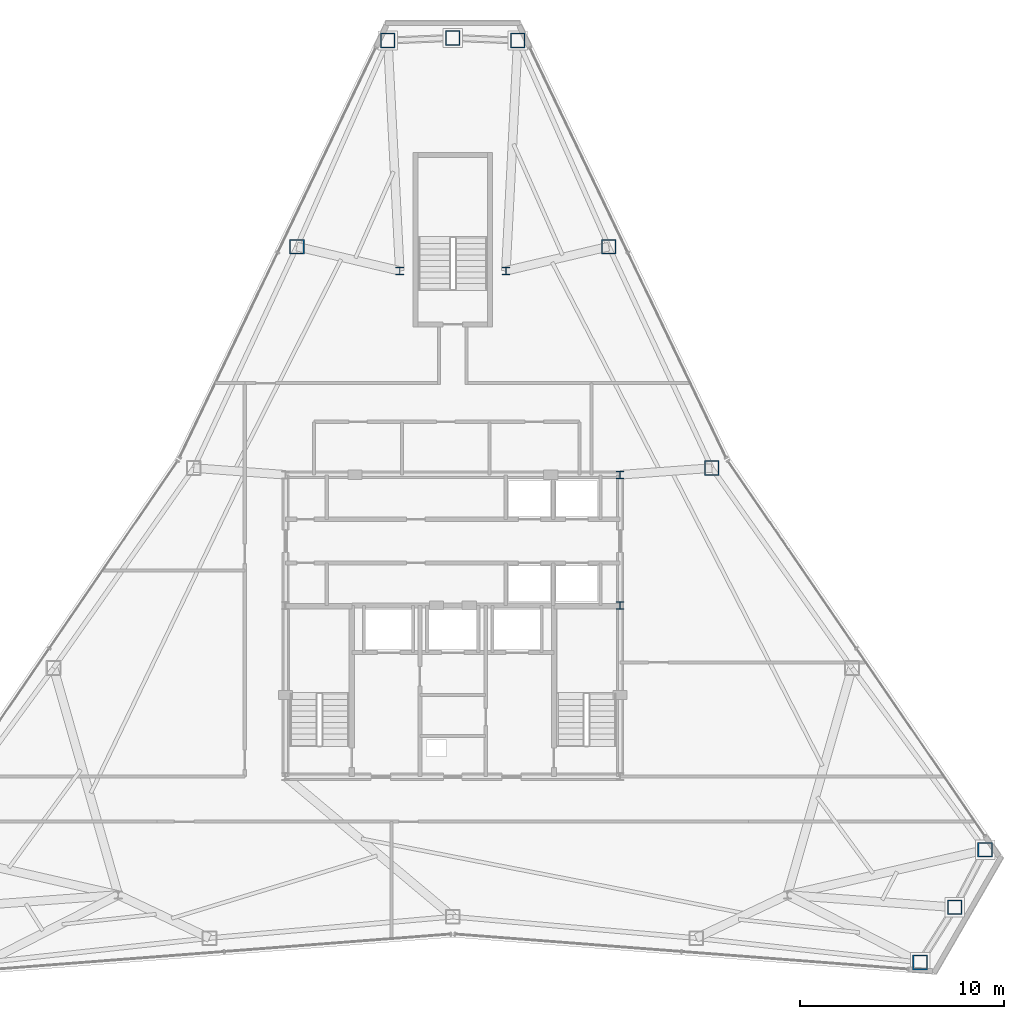
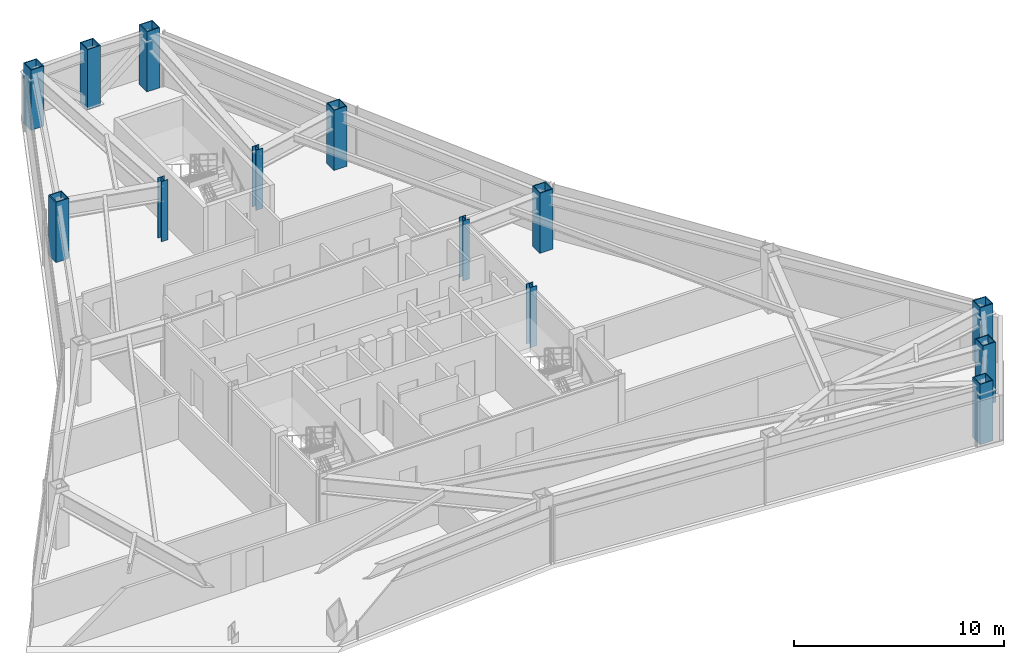
# One storey, part 2 of 11: 13 columns.
"""IFC4 building model written with IfcOpenShell, lengths in metres."""

import ifcopenshell
import ifcopenshell.guid

model = None  # the IFC model being written
_history = None  # IfcOwnerHistory: only IFC2X3 demands one
_inside = {}  # id of a spatial element -> (the spatial element, [elements in it])
_under = {}  # id of a project, library or spatial element -> (it, [spatial elements below it])
_declared = {}  # id of a project -> (the project, [libraries it declares])
_typed = {}  # id of a type object -> (the type object, [elements of that type])
_made_of = {}  # id of a material, layer set ... -> (it, [elements and type objects made of it])


def new_model(schema):
    """Start an empty IFC model of exactly this schema.

    Asked for "IFC4X3", IfcOpenShell would pick the latest addendum, in which some entities
    have other attributes; the version numbers below select the first issue.
    IFC2X3 requires an IfcOwnerHistory on every rooted entity: one is made here for all.
    """
    global model, _history
    if schema == "IFC4X3":
        model = ifcopenshell.file(schema_version=(4, 3, 0, 0))
    else:
        model = ifcopenshell.file(schema=schema)
    _inside.clear()
    _under.clear()
    _declared.clear()
    _typed.clear()
    _made_of.clear()
    _history = None
    if model.schema == "IFC2X3":
        org = make("IfcOrganization", Name="unknown")
        user = make(
            "IfcPersonAndOrganization",
            ThePerson=make("IfcPerson", FamilyName="unknown"),
            TheOrganization=org,
        )
        app = make(
            "IfcApplication",
            ApplicationDeveloper=org,
            Version="unknown",
            ApplicationFullName="unknown",
            ApplicationIdentifier="unknown",
        )
        _history = make(
            "IfcOwnerHistory",
            OwningUser=user,
            OwningApplication=app,
            ChangeAction="ADDED",
            CreationDate=0,
        )
    return model


def make(cls, **values):
    """One entity of the class cls with the attributes given. An attribute that is None is left unset."""
    return model.create_entity(
        cls, **{name: value for name, value in values.items() if value is not None}
    )


def rooted(cls, **values):
    """An entity with a GlobalId (a new one), such as an element, a storey or a relation."""
    return make(cls, GlobalId=ifcopenshell.guid.new(), OwnerHistory=_history, **values)


def si_unit(unit_type, name, prefix=None):
    """IfcSIUnit, for example si_unit("LENGTHUNIT", "METRE", prefix="MILLI")."""
    return make("IfcSIUnit", UnitType=unit_type, Prefix=prefix, Name=name)


def assignment(units):
    """IfcUnitAssignment: the units of a project."""
    return None if units is None else make("IfcUnitAssignment", Units=units)


def point(xyz):
    """IfcCartesianPoint."""
    return None if xyz is None else make("IfcCartesianPoint", Coordinates=xyz)


def direction(xyz):
    """IfcDirection."""
    return None if xyz is None else make("IfcDirection", DirectionRatios=xyz)


def frame(location, z_axis=None, x_axis=None):
    """IfcAxis2Placement3D, a coordinate frame: its origin and axes. An axis left out is left unset."""
    return make(
        "IfcAxis2Placement3D",
        Location=point(location),
        Axis=direction(z_axis),
        RefDirection=direction(x_axis),
    )


def frame_2d(location, x_axis=None):
    """IfcAxis2Placement2D, a coordinate frame in the plane: its origin and x axis."""
    return make(
        "IfcAxis2Placement2D", Location=point(location), RefDirection=direction(x_axis)
    )


def origin():
    """The frame at (0, 0, 0) with its axes left unset."""
    return frame((0.0, 0.0, 0.0))


def origin_2d():
    """The frame at (0, 0) in the plane with its x axis left unset."""
    return frame_2d((0.0, 0.0))


def place(relative_to, where):
    """IfcLocalPlacement: puts the frame where relative to a parent placement (None: the world)."""
    return make(
        "IfcLocalPlacement", PlacementRelTo=relative_to, RelativePlacement=where
    )


def context(
    kind, dimensions, precision=None, world=None, true_north=None, identifier=None
):
    """IfcGeometricRepresentationContext, for example the 3D "Model" context."""
    return make(
        "IfcGeometricRepresentationContext",
        ContextIdentifier=identifier,
        ContextType=kind,
        CoordinateSpaceDimension=dimensions,
        Precision=precision,
        WorldCoordinateSystem=world,
        TrueNorth=true_north,
    )


def subcontext(parent, identifier, kind, view, scale=None):
    """IfcGeometricRepresentationSubContext, for example "Body" below "Model"."""
    return make(
        "IfcGeometricRepresentationSubContext",
        ContextIdentifier=identifier,
        ContextType=kind,
        ParentContext=parent,
        TargetScale=scale,
        TargetView=view,
    )


def project(units=None, contexts=None):
    """IfcProject with its units and contexts."""
    return rooted(
        "IfcProject",
        Name="project",
        RepresentationContexts=contexts,
        UnitsInContext=assignment(units),
    )


def spatial(cls, under=None, at=None, **own):
    """A site, building, storey or space (cls), placed at a placement, below another one or the project."""
    s = rooted(cls, ObjectPlacement=at, **own)
    if under is not None:
        _under.setdefault(under.id(), (under, []))[1].append(s)
    return s


def profile(cls, at=None, kind="AREA", **sizes):
    """A parametric profile (cls). Its sizes go by their IFC names, for example OverallWidth=200.0."""
    return make(cls, ProfileType=kind, Position=at, **sizes)


def hollow_rectangle(**sizes):
    """IfcRectangleHollowProfileDef."""
    return profile("IfcRectangleHollowProfileDef", **sizes)


def i_section(**sizes):
    """IfcIShapeProfileDef."""
    return profile("IfcIShapeProfileDef", **sizes)


def extrude(swept, where, along, depth):
    """IfcExtrudedAreaSolid: the profile swept, set in the frame where, extruded along a direction by depth."""
    return make(
        "IfcExtrudedAreaSolid",
        SweptArea=swept,
        Position=where,
        ExtrudedDirection=direction(along),
        Depth=depth,
    )


def shape(context_of_items, identifier, shape_type, items):
    """IfcShapeRepresentation: the items that make up one representation, for example the "Body"."""
    return make(
        "IfcShapeRepresentation",
        ContextOfItems=context_of_items,
        RepresentationIdentifier=identifier,
        RepresentationType=shape_type,
        Items=items,
    )


def material(Name=None, Category=None):
    """IfcMaterial."""
    return make("IfcMaterial", Name=Name, Category=Category)


def material_profile(
    of_material, cross_section, Name=None, Category=None, Priority=None
):
    """IfcMaterialProfile: a cross section and its material."""
    return make(
        "IfcMaterialProfile",
        Name=Name,
        Material=of_material,
        Profile=cross_section,
        Priority=Priority,
        Category=Category,
    )


def profile_set(profiles, Name=None, composite=None):
    """IfcMaterialProfileSet."""
    return make(
        "IfcMaterialProfileSet",
        Name=Name,
        MaterialProfiles=profiles,
        CompositeProfile=composite,
    )


def made_of(thing, what):
    """Note that an element or type object is made of a material, layer set ...; save() writes the relation."""
    if what is not None:
        _made_of.setdefault(what.id(), (what, []))[1].append(thing)
    return thing


def type_object(cls, material=None, **own):
    """A type object (cls), such as IfcWallType, which elements share."""
    return made_of(rooted(cls, **own), material)


def element(
    cls,
    number,
    at=None,
    inside=None,
    cuts=None,
    type_object=None,
    material=None,
    context=None,
    identifier="Body",
    shape_type=None,
    held_by="IfcProductDefinitionShape",
    body=None,
    shapes=None,
    **own,
):
    """One element of the class cls, such as IfcWall. Its Tag is "e" and its number.

    at: its placement. inside: the storey or other place that contains it. cuts: it is an
    opening in that element (IfcRelVoidsElement). A single representation is given by context,
    identifier, shape_type and body (its items); several are given by shapes. held_by: the class
    of the entity that holds the representations. save() writes the other relations.
    """
    e = rooted(cls, Tag="e%d" % number, ObjectPlacement=at, **own)
    if body is not None:
        shapes = [shape(context, identifier, shape_type, body)]
    if shapes is not None:
        e.Representation = make(held_by, Representations=shapes)
    if inside is not None:
        _inside.setdefault(inside.id(), (inside, []))[1].append(e)
    if cuts is not None:
        rooted(
            "IfcRelVoidsElement", RelatingBuildingElement=cuts, RelatedOpeningElement=e
        )
    if type_object is not None:
        _typed.setdefault(type_object.id(), (type_object, []))[1].append(e)
    return made_of(e, material)


def aggregate(whole, parts):
    """IfcRelAggregates: a whole, such as a stair, and the parts it consists of."""
    return rooted("IfcRelAggregates", RelatingObject=whole, RelatedObjects=parts)


def save(model, path):
    """Write the relations noted so far, then the file.

    IfcRelAggregates (storeys below a building ...), IfcRelContainedInSpatialStructure (elements
    in a storey), IfcRelDefinesByType, IfcRelAssociatesMaterial and IfcRelDeclares: one each for
    every whole, place, type object, material and project.
    """
    for whole, parts in _under.values():
        aggregate(whole, parts)
    for where, things in _inside.values():
        rooted(
            "IfcRelContainedInSpatialStructure",
            RelatedElements=things,
            RelatingStructure=where,
        )
    for kind, things in _typed.values():
        rooted("IfcRelDefinesByType", RelatedObjects=things, RelatingType=kind)
    for what, things in _made_of.values():
        rooted("IfcRelAssociatesMaterial", RelatedObjects=things, RelatingMaterial=what)
    for by, libraries in _declared.values():
        rooted("IfcRelDeclares", RelatingContext=by, RelatedDefinitions=libraries)
    model.write(path)


model = new_model("IFC4")

# Units and contexts
model_context = context("Model", 3, precision=1e-05, world=origin(), true_north=direction((0.0, 1.0)))
body_context = subcontext(model_context, "Body", "Model", "MODEL_VIEW")
ifc_project = project(units=[si_unit("LENGTHUNIT", "METRE"), si_unit("AREAUNIT", "SQUARE_METRE"), si_unit("VOLUMEUNIT", "CUBIC_METRE"), si_unit("PLANEANGLEUNIT", "RADIAN"), si_unit("MASSUNIT", "GRAM", prefix="KILO")], contexts=[model_context])

# Site, building, storey
site_placement = place(None, origin())
site = spatial("IfcSite", under=ifc_project, at=site_placement, CompositionType="ELEMENT")
building_placement = place(site_placement, origin())
building = spatial("IfcBuilding", under=site, at=building_placement, Name="Varakhsha Concourse Tower", CompositionType="ELEMENT")
storey_placement = place(building_placement, frame((0.0, 0.0, 215.39990234375)))
storey = spatial("IfcBuildingStorey", under=building, at=storey_placement, Name="L61", CompositionType="ELEMENT", Elevation=215.39990234375)

# Columns
ifc_material_1 = material(Name="Structural Steel ASTM A992 Grade 50", Category="steel")
ifc_material_profile_1 = material_profile(ifc_material_1, i_section(OverallWidth=0.3740234375, OverallDepth=0.3720703125, WebThickness=0.01611328125, FlangeThickness=0.02587890625, at=origin_2d()), Name="W14X132")
ifc_profile_set_1 = profile_set([ifc_material_profile_1], Name="Structural Steel ASTM A992 Grade 50")
column_type_1 = type_object("IfcColumnType", Name="CL-CORE-W14X132", PredefinedType="COLUMN", material=ifc_profile_set_1)
for number, where, z_axis, x_axis, name in (
    (1, (48.199951171875, 24.800048828125, 0.0), (0.0, 0.0, 1.0), (1.0, 0.0, 0.0), "L61 Core Column CC-ME"),
    (2, (48.199951171875, 31.199951171875, 0.0), (0.0, 0.0, 1.0), (1.0, 0.0, 0.0), "L61 Core Column CC-NE"),
    (3, (37.39990234375, 41.199951171875, 0.0), (0.0, 0.0, 1.0), (1.0, 0.0, 0.0), "L61 Core Column NS-W"),
    (4, (42.60009765625, 41.199951171875, 0.0), (0.0, 0.0, 1.0), (1.0, 0.0, 0.0), "L61 Core Column NS-E"),
):
    element("IfcColumn", number, at=place(storey_placement, frame(where, z_axis=z_axis, x_axis=x_axis)), inside=storey, type_object=column_type_1, Name=name, PredefinedType="COLUMN", context=body_context, shape_type="SweptSolid", body=[
        extrude(i_section(OverallWidth=0.3740234375, OverallDepth=0.3720703125, WebThickness=0.01611328125, FlangeThickness=0.02587890625, at=origin_2d()), origin(), (0.0, 0.0, 1.0), 3.5),
    ])
ifc_material_2 = material(Name="Structural Steel ASTM A572 Grade 50", Category="steel")
ifc_material_profile_2 = material_profile(ifc_material_2, hollow_rectangle(XDim=0.719970703125, YDim=0.719970703125, WallThickness=0.050048828125, at=origin_2d()), Name="BOX 720x720x50")
ifc_profile_set_2 = profile_set([ifc_material_profile_2], Name="Structural Steel ASTM A572 Grade 50")
column_type_2 = type_object("IfcColumnType", Name="CL-TUBE-720", PredefinedType="COLUMN", material=ifc_profile_set_2)
for number, where, z_axis, x_axis, name in (
    (5, (43.186767578125, 52.491943359375, 0.0), (0.0, 0.0, 1.0), (1.0, 0.0, 0.0), "L61 Framed-Tube Column TC01"),
    (6, (40.0, 52.617431640625, 0.0), (0.0, 0.0, 1.0), (1.0, 0.0, 0.0), "L61 Framed-Tube Column TC02"),
    (7, (36.813232421875, 52.491943359375, 0.0), (0.0, 0.0, 1.0), (1.0, 0.0, 0.0), "L61 Framed-Tube Column TC03"),
    (8, (32.356201171875, 42.3876953125, 0.0), (0.0, 0.0, 1.0), (1.0, 0.0, 0.0), "L61 Framed-Tube Column TC04"),
    (9, (62.908203125, 7.294189453125, 0.0), (0.0, 0.0, 1.0), (1.0, 0.0, 0.0), "L61 Framed-Tube Column TC13"),
    (10, (64.6103515625, 9.9912109375, 0.0), (0.0, 0.0, 1.0), (1.0, 0.0, 0.0), "L61 Framed-Tube Column TC14"),
    (11, (66.094970703125, 12.813720703125, 0.0), (0.0, 0.0, 1.0), (1.0, 0.0, 0.0), "L61 Framed-Tube Column TC15"),
    (12, (52.698974609375, 31.53173828125, 0.0), (0.0, 0.0, 1.0), (1.0, 0.0, 0.0), "L61 Framed-Tube Column TC17"),
    (13, (47.643798828125, 42.3876953125, 0.0), (0.0, 0.0, 1.0), (1.0, 0.0, 0.0), "L61 Framed-Tube Column TC18"),
):
    element("IfcColumn", number, at=place(storey_placement, frame(where, z_axis=z_axis, x_axis=x_axis)), inside=storey, type_object=column_type_2, Name=name, PredefinedType="COLUMN", context=body_context, shape_type="SweptSolid", body=[
        extrude(hollow_rectangle(XDim=0.719970703125, YDim=0.719970703125, WallThickness=0.050048828125, at=origin_2d()), origin(), (0.0, 0.0, 1.0), 3.5),
    ])

save(model, "model.ifc")
